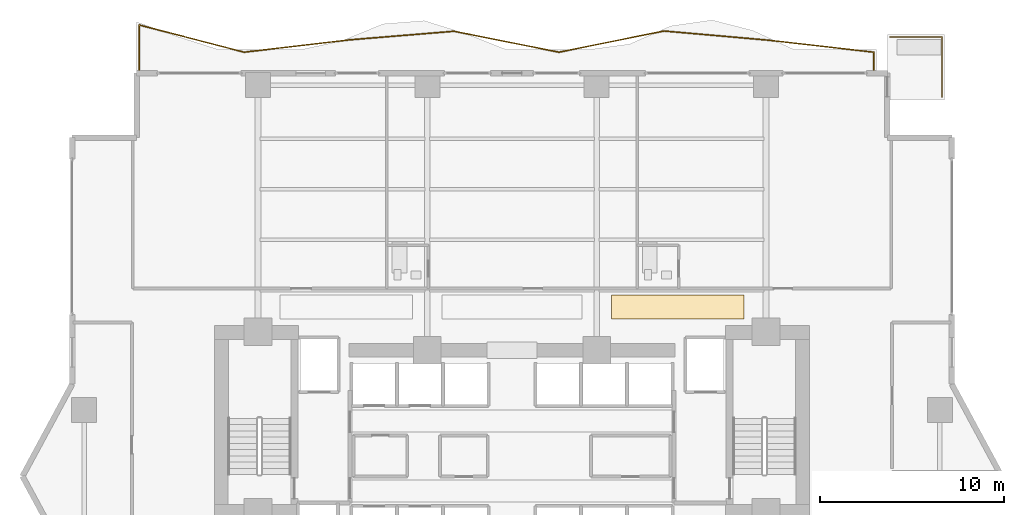
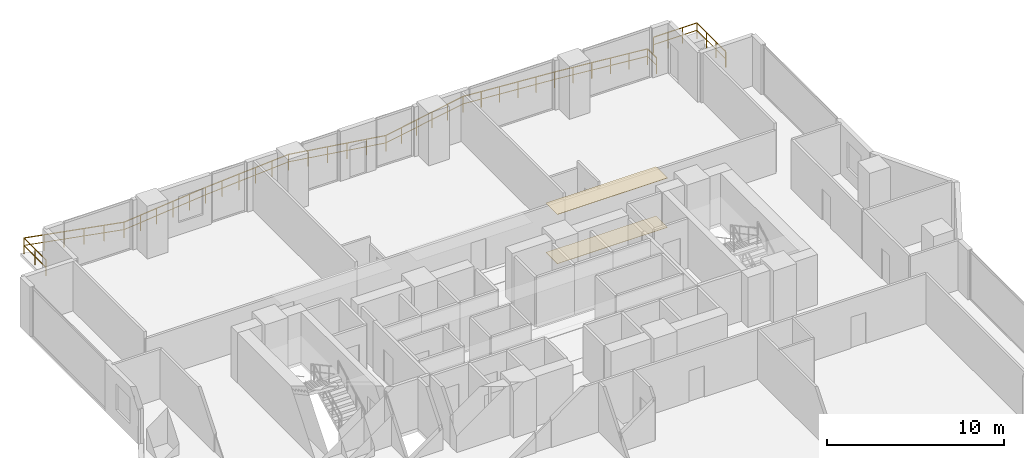
# One storey, part 27 of 28: 2 coverings, 2 railings.
"""IFC4 building model written with IfcOpenShell, lengths in metres."""

from ifc_helpers import new_model, si_unit, direction, frame, origin, origin_2d, place, context, subcontext, project, spatial, polyline, rectangle, outline, extrude, material, layer, layer_set, type_object, element, save


model = new_model("IFC4")

# Units and contexts
model_context = context("Model", 3, precision=1e-05, world=origin(), true_north=direction((0.0, 1.0)))
body_context = subcontext(model_context, "Body", "Model", "MODEL_VIEW")
ifc_project = project(units=[si_unit("LENGTHUNIT", "METRE"), si_unit("AREAUNIT", "SQUARE_METRE"), si_unit("VOLUMEUNIT", "CUBIC_METRE"), si_unit("PLANEANGLEUNIT", "RADIAN"), si_unit("MASSUNIT", "GRAM", prefix="KILO")], contexts=[model_context])

# Site, building, storey
site_placement = place(None, origin())
site = spatial("IfcSite", under=ifc_project, at=site_placement, CompositionType="ELEMENT")
building_placement = place(site_placement, origin())
building = spatial("IfcBuilding", under=site, at=building_placement, Name="Zuhayl Quay Hotel", CompositionType="ELEMENT")
storey_placement = place(building_placement, frame((0.0, 0.0, 146.75)))
storey = spatial("IfcBuildingStorey", under=building, at=storey_placement, Name="L37", CompositionType="ELEMENT", Elevation=146.75)

# Coverings
ifc_material_1 = material(Name="Acoustic Mineral-Fibre Gypsum Board")
ifc_layer_1 = layer(ifc_material_1, 0.02490234375, Name="Acoustic Mineral-Fibre Gypsum Board")
ifc_layer_set_1 = layer_set([ifc_layer_1], Name="Acoustic Mineral-Fibre Gypsum Board")
covering_type_1 = type_object("IfcCoveringType", Name="CV_CEIL_ACOUSTIC", PredefinedType="CEILING", material=ifc_layer_set_1)
covering_1_placement = place(storey_placement, frame((0.0, 0.0, 3.405029296875)))
element("IfcCovering", 1, at=covering_1_placement, inside=storey, type_object=covering_type_1, Name="L37 Guest Corridor Acoustic Ceiling CE", PredefinedType="CEILING", context=body_context, shape_type="SweptSolid", body=[
    extrude(outline(polyline([(5.39990234375, 15.050048828125), (12.60009765625, 15.050048828125), (12.60009765625, 16.35009765625), (5.39990234375, 16.35009765625), (5.39990234375, 15.050048828125)])), origin(), (0.0, 0.0, 1.0), 0.02490234375),
])
ifc_material_2 = material(Name="Polished Limestone Terrazzo", Category="masonry")
ifc_layer_2 = layer(ifc_material_2, 0.02001953125, Name="Polished Limestone Terrazzo", Category="masonry")
ifc_layer_set_2 = layer_set([ifc_layer_2], Name="Polished Limestone Terrazzo")
covering_type_2 = type_object("IfcCoveringType", Name="CV_FLOOR_TERRAZZO", PredefinedType="FLOORING", material=ifc_layer_set_2)
covering_2_placement = place(storey_placement, origin())
element("IfcCovering", 2, at=covering_2_placement, inside=storey, type_object=covering_type_2, Name="L37 Guest Corridor Terrazzo Runner CE", PredefinedType="FLOORING", context=body_context, shape_type="SweptSolid", body=[
    extrude(outline(polyline([(5.39990234375, 15.050048828125), (12.60009765625, 15.050048828125), (12.60009765625, 16.35009765625), (5.39990234375, 16.35009765625), (5.39990234375, 15.050048828125)])), origin(), (0.0, 0.0, 1.0), 0.02001953125),
])

# Railings
ifc_material_3 = material(Name="Anodised Aluminium and Laminated Glass", Category="aluminium")
railing_type = type_object("IfcRailingType", Name="RL_EXT_BAL_1100", PredefinedType="BALUSTRADE", material=ifc_material_3)
railing_1_placement = place(storey_placement, frame((-20.260009765625, 28.52001953125, 0.0)))
element("IfcRailing", 3, at=railing_1_placement, inside=storey, type_object=railing_type, Name="L37 Balcony and Terrace Guard GR_L37_BAL_N", PredefinedType="BALUSTRADE", context=body_context, shape_type="SweptSolid", body=[
    extrude(rectangle(XDim=0.048095703125, YDim=0.048095703125, at=origin_2d()), frame((0.0, 0.0, 1.09619140625), z_axis=(0.0, 1.0, 0.0), x_axis=(-1.0, 0.0, 0.0)), (0.0, 0.0, 1.0), 2.502197265625),
    extrude(rectangle(XDim=0.0361328125, YDim=0.0361328125, at=origin_2d()), frame((0.0, 0.0, 0.58251953125), z_axis=(0.0, 1.0, 0.0), x_axis=(-1.0, 0.0, 0.0)), (0.0, 0.0, 1.0), 2.502197265625),
    extrude(rectangle(XDim=0.048095703125, YDim=0.048095703125, at=origin_2d()), frame((0.0, 2.502197265625, 1.09619140625), z_axis=(0.967846114524, -0.251543035287, 0.0), x_axis=(0.251543035287, 0.967846114524, 0.0)), (0.0, 0.0, 1.0), 5.892333984375),
    extrude(rectangle(XDim=0.0361328125, YDim=0.0361328125, at=origin_2d()), frame((0.0, 2.502197265625, 0.58251953125), z_axis=(0.967846114524, -0.251543035287, 0.0), x_axis=(0.251543035287, 0.967846114524, 0.0)), (0.0, 0.0, 1.0), 5.892333984375),
    extrude(rectangle(XDim=0.048095703125, YDim=0.048095703125, at=origin_2d()), frame((5.702880859375, 1.02001953125, 1.09619140625), z_axis=(0.993215174608, 0.116291087056, 0.0), x_axis=(-0.116291087056, 0.993215174608, 0.0)), (0.0, 0.0, 1.0), 5.741943359375),
    extrude(rectangle(XDim=0.0361328125, YDim=0.0361328125, at=origin_2d()), frame((5.702880859375, 1.02001953125, 0.58251953125), z_axis=(0.993215174608, 0.116291087056, 0.0), x_axis=(-0.116291087056, 0.993215174608, 0.0)), (0.0, 0.0, 1.0), 5.741943359375),
    extrude(rectangle(XDim=0.048095703125, YDim=0.048095703125, at=origin_2d()), frame((11.40576171875, 1.687744140625, 1.09619140625), z_axis=(0.996618054697, 0.082173311073, 0.0), x_axis=(-0.082173311073, 0.996618054697, 0.0)), (0.0, 0.0, 1.0), 5.72216796875),
    extrude(rectangle(XDim=0.0361328125, YDim=0.0361328125, at=origin_2d()), frame((11.40576171875, 1.687744140625, 0.58251953125), z_axis=(0.996618054697, 0.082173311073, 0.0), x_axis=(-0.082173311073, 0.996618054697, 0.0)), (0.0, 0.0, 1.0), 5.72216796875),
    extrude(rectangle(XDim=0.048095703125, YDim=0.048095703125, at=origin_2d()), frame((17.108642578125, 2.157958984375, 1.09619140625), z_axis=(0.980667773068, -0.195680144281, 0.0), x_axis=(0.195680144281, 0.980667773068, 0.0)), (0.0, 0.0, 1.0), 5.815185546875),
    extrude(rectangle(XDim=0.0361328125, YDim=0.0361328125, at=origin_2d()), frame((17.108642578125, 2.157958984375, 0.58251953125), z_axis=(0.980667773068, -0.195680144281, 0.0), x_axis=(0.195680144281, 0.980667773068, 0.0)), (0.0, 0.0, 1.0), 5.815185546875),
    extrude(rectangle(XDim=0.048095703125, YDim=0.048095703125, at=origin_2d()), frame((22.8115234375, 1.02001953125, 1.09619140625), z_axis=(0.980206081615, 0.197979891821, 0.0), x_axis=(-0.197979891821, 0.980206081615, 0.0)), (0.0, 0.0, 1.0), 5.818115234375),
    extrude(rectangle(XDim=0.0361328125, YDim=0.0361328125, at=origin_2d()), frame((22.8115234375, 1.02001953125, 0.58251953125), z_axis=(0.980206081615, 0.197979891821, 0.0), x_axis=(-0.197979891821, 0.980206081615, 0.0)), (0.0, 0.0, 1.0), 5.818115234375),
    extrude(rectangle(XDim=0.048095703125, YDim=0.048095703125, at=origin_2d()), frame((28.514404296875, 2.171875, 1.09619140625), z_axis=(0.996155943475, -0.087597581467, 0.0), x_axis=(0.087597581467, 0.996155943475, 0.0)), (0.0, 0.0, 1.0), 5.724609375),
    extrude(rectangle(XDim=0.0361328125, YDim=0.0361328125, at=origin_2d()), frame((28.514404296875, 2.171875, 0.58251953125), z_axis=(0.996155943475, -0.087597581467, 0.0), x_axis=(0.087597581467, 0.996155943475, 0.0)), (0.0, 0.0, 1.0), 5.724609375),
    extrude(rectangle(XDim=0.048095703125, YDim=0.048095703125, at=origin_2d()), frame((34.217041015625, 1.67041015625, 1.09619140625), z_axis=(0.993559515841, -0.113311466681, 0.0), x_axis=(0.113311466681, 0.993559515841, 0.0)), (0.0, 0.0, 1.0), 5.73974609375),
    extrude(rectangle(XDim=0.0361328125, YDim=0.0361328125, at=origin_2d()), frame((34.217041015625, 1.67041015625, 0.58251953125), z_axis=(0.993559515841, -0.113311466681, 0.0), x_axis=(0.113311466681, 0.993559515841, 0.0)), (0.0, 0.0, 1.0), 5.73974609375),
    extrude(rectangle(XDim=0.048095703125, YDim=0.048095703125, at=origin_2d()), frame((39.919921875, 1.02001953125, 1.09619140625), z_axis=(0.0, -1.0, 0.0), x_axis=(1.0, 0.0, 0.0)), (0.0, 0.0, 1.0), 1.02001953125),
    extrude(rectangle(XDim=0.0361328125, YDim=0.0361328125, at=origin_2d()), frame((39.919921875, 1.02001953125, 0.58251953125), z_axis=(0.0, -1.0, 0.0), x_axis=(1.0, 0.0, 0.0)), (0.0, 0.0, 1.0), 1.02001953125),
    extrude(rectangle(XDim=0.0419921875, YDim=0.0419921875, at=origin_2d()), origin(), (0.0, 0.0, 1.0), 1.072021484375),
    extrude(rectangle(XDim=0.0419921875, YDim=0.0419921875, at=origin_2d()), frame((0.0, 1.2509765625, 0.0)), (0.0, 0.0, 1.0), 1.072021484375),
    extrude(rectangle(XDim=0.0419921875, YDim=0.0419921875, at=origin_2d()), frame((0.0, 2.502197265625, 0.0)), (0.0, 0.0, 1.0), 1.072021484375),
    extrude(rectangle(XDim=0.0419921875, YDim=0.0419921875, at=origin_2d()), frame((1.140625, 2.205810546875, 0.0)), (0.0, 0.0, 1.0), 1.072021484375),
    extrude(rectangle(XDim=0.0419921875, YDim=0.0419921875, at=origin_2d()), frame((2.28125, 1.909423828125, 0.0)), (0.0, 0.0, 1.0), 1.072021484375),
    extrude(rectangle(XDim=0.0419921875, YDim=0.0419921875, at=origin_2d()), frame((3.421630859375, 1.61279296875, 0.0)), (0.0, 0.0, 1.0), 1.072021484375),
    extrude(rectangle(XDim=0.0419921875, YDim=0.0419921875, at=origin_2d()), frame((4.562255859375, 1.31640625, 0.0)), (0.0, 0.0, 1.0), 1.072021484375),
    extrude(rectangle(XDim=0.0419921875, YDim=0.0419921875, at=origin_2d()), frame((5.702880859375, 1.02001953125, 0.0)), (0.0, 0.0, 1.0), 1.072021484375),
    extrude(rectangle(XDim=0.0419921875, YDim=0.0419921875, at=origin_2d()), frame((6.843505859375, 1.153564453125, 0.0)), (0.0, 0.0, 1.0), 1.072021484375),
    extrude(rectangle(XDim=0.0419921875, YDim=0.0419921875, at=origin_2d()), frame((7.984130859375, 1.287109375, 0.0)), (0.0, 0.0, 1.0), 1.072021484375),
    extrude(rectangle(XDim=0.0419921875, YDim=0.0419921875, at=origin_2d()), frame((9.12451171875, 1.420654296875, 0.0)), (0.0, 0.0, 1.0), 1.072021484375),
    extrude(rectangle(XDim=0.0419921875, YDim=0.0419921875, at=origin_2d()), frame((10.26513671875, 1.55419921875, 0.0)), (0.0, 0.0, 1.0), 1.072021484375),
    extrude(rectangle(XDim=0.0419921875, YDim=0.0419921875, at=origin_2d()), frame((11.40576171875, 1.687744140625, 0.0)), (0.0, 0.0, 1.0), 1.072021484375),
    extrude(rectangle(XDim=0.0419921875, YDim=0.0419921875, at=origin_2d()), frame((12.54638671875, 1.78173828125, 0.0)), (0.0, 0.0, 1.0), 1.072021484375),
    extrude(rectangle(XDim=0.0419921875, YDim=0.0419921875, at=origin_2d()), frame((13.68701171875, 1.875732421875, 0.0)), (0.0, 0.0, 1.0), 1.072021484375),
    extrude(rectangle(XDim=0.0419921875, YDim=0.0419921875, at=origin_2d()), frame((14.827392578125, 1.969970703125, 0.0)), (0.0, 0.0, 1.0), 1.072021484375),
    extrude(rectangle(XDim=0.0419921875, YDim=0.0419921875, at=origin_2d()), frame((15.968017578125, 2.06396484375, 0.0)), (0.0, 0.0, 1.0), 1.072021484375),
    extrude(rectangle(XDim=0.0419921875, YDim=0.0419921875, at=origin_2d()), frame((17.108642578125, 2.157958984375, 0.0)), (0.0, 0.0, 1.0), 1.072021484375),
    extrude(rectangle(XDim=0.0419921875, YDim=0.0419921875, at=origin_2d()), frame((18.249267578125, 1.930419921875, 0.0)), (0.0, 0.0, 1.0), 1.072021484375),
    extrude(rectangle(XDim=0.0419921875, YDim=0.0419921875, at=origin_2d()), frame((19.389892578125, 1.702880859375, 0.0)), (0.0, 0.0, 1.0), 1.072021484375),
    extrude(rectangle(XDim=0.0419921875, YDim=0.0419921875, at=origin_2d()), frame((20.5302734375, 1.47509765625, 0.0)), (0.0, 0.0, 1.0), 1.072021484375),
    extrude(rectangle(XDim=0.0419921875, YDim=0.0419921875, at=origin_2d()), frame((21.6708984375, 1.24755859375, 0.0)), (0.0, 0.0, 1.0), 1.072021484375),
    extrude(rectangle(XDim=0.0419921875, YDim=0.0419921875, at=origin_2d()), frame((22.8115234375, 1.02001953125, 0.0)), (0.0, 0.0, 1.0), 1.072021484375),
    extrude(rectangle(XDim=0.0419921875, YDim=0.0419921875, at=origin_2d()), frame((23.9521484375, 1.25048828125, 0.0)), (0.0, 0.0, 1.0), 1.072021484375),
    extrude(rectangle(XDim=0.0419921875, YDim=0.0419921875, at=origin_2d()), frame((25.0927734375, 1.480712890625, 0.0)), (0.0, 0.0, 1.0), 1.072021484375),
    extrude(rectangle(XDim=0.0419921875, YDim=0.0419921875, at=origin_2d()), frame((26.233154296875, 1.711181640625, 0.0)), (0.0, 0.0, 1.0), 1.072021484375),
    extrude(rectangle(XDim=0.0419921875, YDim=0.0419921875, at=origin_2d()), frame((27.373779296875, 1.94140625, 0.0)), (0.0, 0.0, 1.0), 1.072021484375),
    extrude(rectangle(XDim=0.0419921875, YDim=0.0419921875, at=origin_2d()), frame((28.514404296875, 2.171875, 0.0)), (0.0, 0.0, 1.0), 1.072021484375),
    extrude(rectangle(XDim=0.0419921875, YDim=0.0419921875, at=origin_2d()), frame((29.655029296875, 2.071533203125, 0.0)), (0.0, 0.0, 1.0), 1.072021484375),
    extrude(rectangle(XDim=0.0419921875, YDim=0.0419921875, at=origin_2d()), frame((30.79541015625, 1.97119140625, 0.0)), (0.0, 0.0, 1.0), 1.072021484375),
    extrude(rectangle(XDim=0.0419921875, YDim=0.0419921875, at=origin_2d()), frame((31.93603515625, 1.87109375, 0.0)), (0.0, 0.0, 1.0), 1.072021484375),
    extrude(rectangle(XDim=0.0419921875, YDim=0.0419921875, at=origin_2d()), frame((33.076416015625, 1.770751953125, 0.0)), (0.0, 0.0, 1.0), 1.072021484375),
    extrude(rectangle(XDim=0.0419921875, YDim=0.0419921875, at=origin_2d()), frame((34.217041015625, 1.67041015625, 0.0)), (0.0, 0.0, 1.0), 1.072021484375),
    extrude(rectangle(XDim=0.0419921875, YDim=0.0419921875, at=origin_2d()), frame((35.357666015625, 1.540283203125, 0.0)), (0.0, 0.0, 1.0), 1.072021484375),
    extrude(rectangle(XDim=0.0419921875, YDim=0.0419921875, at=origin_2d()), frame((36.498291015625, 1.41015625, 0.0)), (0.0, 0.0, 1.0), 1.072021484375),
    extrude(rectangle(XDim=0.0419921875, YDim=0.0419921875, at=origin_2d()), frame((37.638671875, 1.2802734375, 0.0)), (0.0, 0.0, 1.0), 1.072021484375),
    extrude(rectangle(XDim=0.0419921875, YDim=0.0419921875, at=origin_2d()), frame((38.779296875, 1.150146484375, 0.0)), (0.0, 0.0, 1.0), 1.072021484375),
    extrude(rectangle(XDim=0.0419921875, YDim=0.0419921875, at=origin_2d()), frame((39.919921875, 1.02001953125, 0.0)), (0.0, 0.0, 1.0), 1.072021484375),
    extrude(rectangle(XDim=0.0419921875, YDim=0.0419921875, at=origin_2d()), frame((39.919921875, 0.0, 0.0)), (0.0, 0.0, 1.0), 1.072021484375),
])
railing_2_placement = place(storey_placement, frame((23.360107421875, 27.090087890625, 0.0)))
element("IfcRailing", 4, at=railing_2_placement, inside=storey, type_object=railing_type, Name="L37 Balcony and Terrace Guard GR_L37_SPIRAL_NE", PredefinedType="BALUSTRADE", context=body_context, shape_type="SweptSolid", body=[
    extrude(rectangle(XDim=0.048095703125, YDim=0.048095703125, at=origin_2d()), frame((0.0, 0.0, 1.09619140625), z_axis=(0.0, 1.0, 0.0), x_axis=(-1.0, 0.0, 0.0)), (0.0, 0.0, 1.0), 3.27001953125),
    extrude(rectangle(XDim=0.0361328125, YDim=0.0361328125, at=origin_2d()), frame((0.0, 0.0, 0.58251953125), z_axis=(0.0, 1.0, 0.0), x_axis=(-1.0, 0.0, 0.0)), (0.0, 0.0, 1.0), 3.27001953125),
    extrude(rectangle(XDim=0.048095703125, YDim=0.048095703125, at=origin_2d()), frame((0.0, 3.27001953125, 1.09619140625), z_axis=(-1.0, 0.0, 0.0), x_axis=(0.0, -1.0, 0.0)), (0.0, 0.0, 1.0), 2.820068359375),
    extrude(rectangle(XDim=0.0361328125, YDim=0.0361328125, at=origin_2d()), frame((0.0, 3.27001953125, 0.58251953125), z_axis=(-1.0, 0.0, 0.0), x_axis=(0.0, -1.0, 0.0)), (0.0, 0.0, 1.0), 2.820068359375),
    extrude(rectangle(XDim=0.0419921875, YDim=0.0419921875, at=origin_2d()), origin(), (0.0, 0.0, 1.0), 1.072021484375),
    extrude(rectangle(XDim=0.0419921875, YDim=0.0419921875, at=origin_2d()), frame((0.0, 1.090087890625, 0.0)), (0.0, 0.0, 1.0), 1.072021484375),
    extrude(rectangle(XDim=0.0419921875, YDim=0.0419921875, at=origin_2d()), frame((0.0, 2.179931640625, 0.0)), (0.0, 0.0, 1.0), 1.072021484375),
    extrude(rectangle(XDim=0.0419921875, YDim=0.0419921875, at=origin_2d()), frame((0.0, 3.27001953125, 0.0)), (0.0, 0.0, 1.0), 1.072021484375),
    extrude(rectangle(XDim=0.0419921875, YDim=0.0419921875, at=origin_2d()), frame((-0.93994140625, 3.27001953125, 0.0)), (0.0, 0.0, 1.0), 1.072021484375),
    extrude(rectangle(XDim=0.0419921875, YDim=0.0419921875, at=origin_2d()), frame((-1.880126953125, 3.27001953125, 0.0)), (0.0, 0.0, 1.0), 1.072021484375),
    extrude(rectangle(XDim=0.0419921875, YDim=0.0419921875, at=origin_2d()), frame((-2.820068359375, 3.27001953125, 0.0)), (0.0, 0.0, 1.0), 1.072021484375),
])

save(model, "model.ifc")
